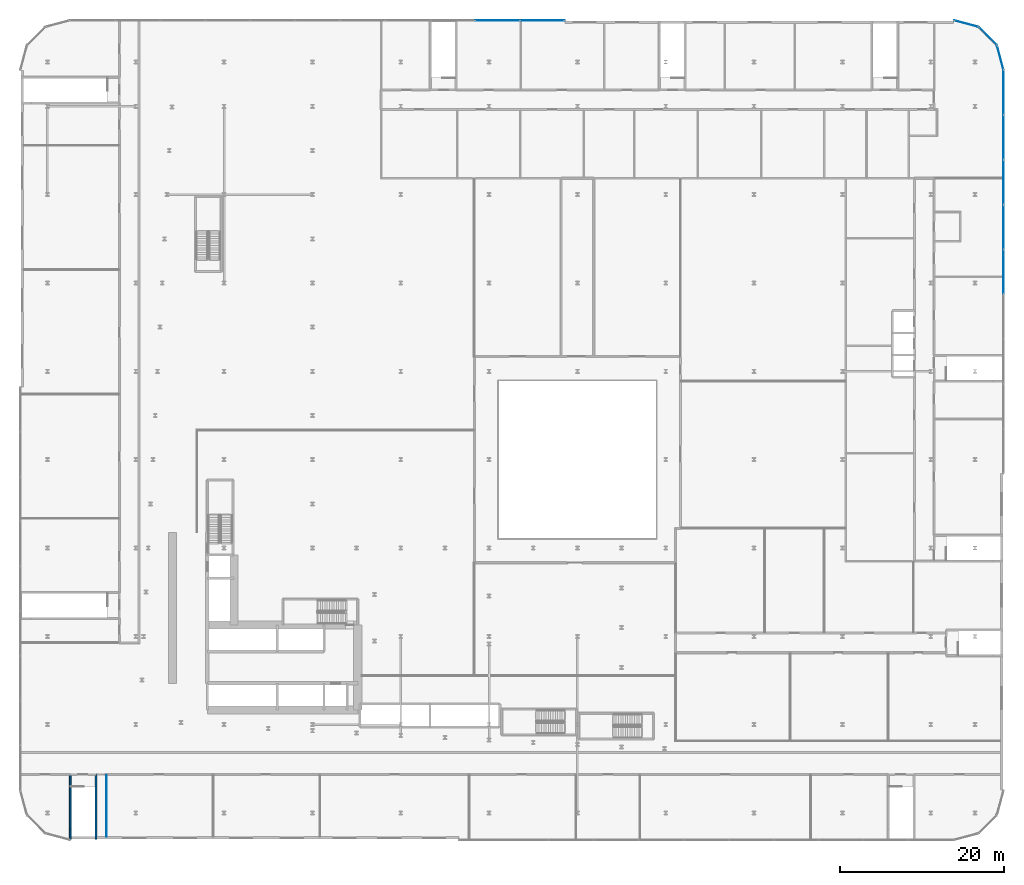
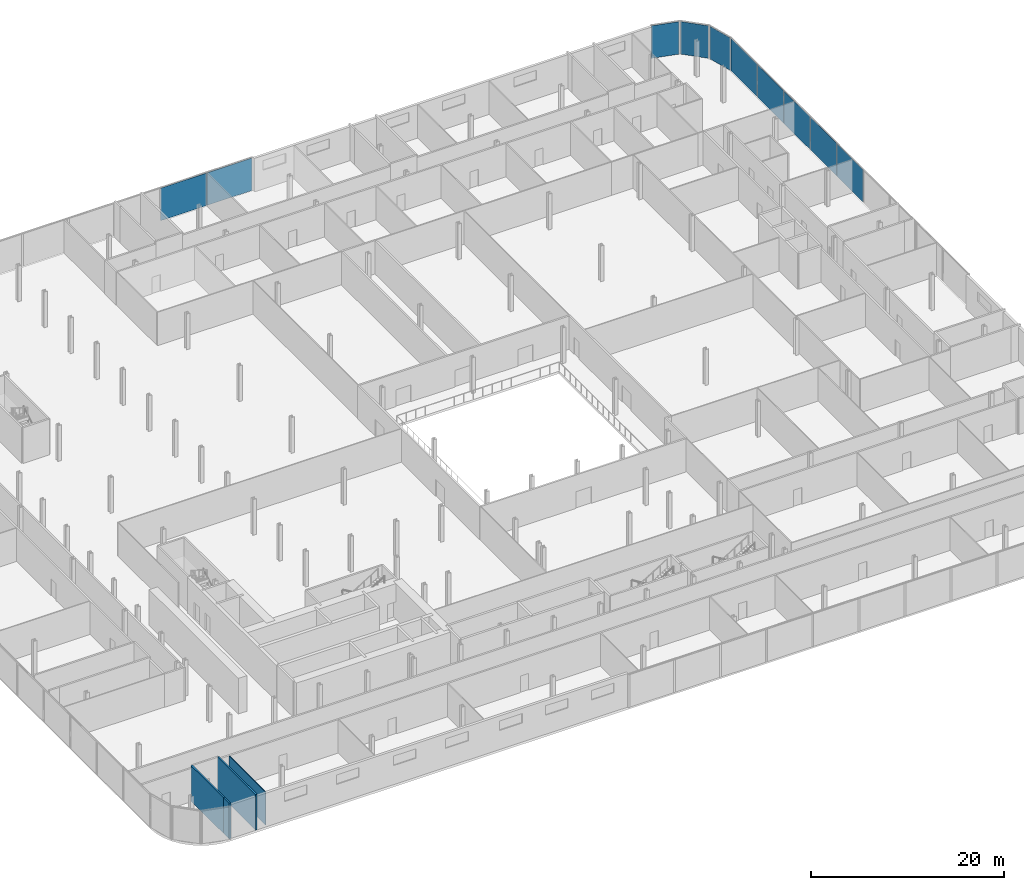
# One storey, part 25 of 43: 10 plates, 4 walls, 5 elements without a shape of their own.
"""IFC4 building model written with IfcOpenShell, lengths in metres."""

import ifcopenshell
import ifcopenshell.guid

model = None  # the IFC model being written
_history = None  # IfcOwnerHistory: only IFC2X3 demands one
_inside = {}  # id of a spatial element -> (the spatial element, [elements in it])
_under = {}  # id of a project, library or spatial element -> (it, [spatial elements below it])
_declared = {}  # id of a project -> (the project, [libraries it declares])
_typed = {}  # id of a type object -> (the type object, [elements of that type])
_made_of = {}  # id of a material, layer set ... -> (it, [elements and type objects made of it])


def new_model(schema):
    """Start an empty IFC model of exactly this schema.

    Asked for "IFC4X3", IfcOpenShell would pick the latest addendum, in which some entities
    have other attributes; the version numbers below select the first issue.
    IFC2X3 requires an IfcOwnerHistory on every rooted entity: one is made here for all.
    """
    global model, _history
    if schema == "IFC4X3":
        model = ifcopenshell.file(schema_version=(4, 3, 0, 0))
    else:
        model = ifcopenshell.file(schema=schema)
    _inside.clear()
    _under.clear()
    _declared.clear()
    _typed.clear()
    _made_of.clear()
    _history = None
    if model.schema == "IFC2X3":
        org = make("IfcOrganization", Name="unknown")
        user = make(
            "IfcPersonAndOrganization",
            ThePerson=make("IfcPerson", FamilyName="unknown"),
            TheOrganization=org,
        )
        app = make(
            "IfcApplication",
            ApplicationDeveloper=org,
            Version="unknown",
            ApplicationFullName="unknown",
            ApplicationIdentifier="unknown",
        )
        _history = make(
            "IfcOwnerHistory",
            OwningUser=user,
            OwningApplication=app,
            ChangeAction="ADDED",
            CreationDate=0,
        )
    return model


def make(cls, **values):
    """One entity of the class cls with the attributes given. An attribute that is None is left unset."""
    return model.create_entity(
        cls, **{name: value for name, value in values.items() if value is not None}
    )


def rooted(cls, **values):
    """An entity with a GlobalId (a new one), such as an element, a storey or a relation."""
    return make(cls, GlobalId=ifcopenshell.guid.new(), OwnerHistory=_history, **values)


def si_unit(unit_type, name, prefix=None):
    """IfcSIUnit, for example si_unit("LENGTHUNIT", "METRE", prefix="MILLI")."""
    return make("IfcSIUnit", UnitType=unit_type, Prefix=prefix, Name=name)


def assignment(units):
    """IfcUnitAssignment: the units of a project."""
    return None if units is None else make("IfcUnitAssignment", Units=units)


def point(xyz):
    """IfcCartesianPoint."""
    return None if xyz is None else make("IfcCartesianPoint", Coordinates=xyz)


def direction(xyz):
    """IfcDirection."""
    return None if xyz is None else make("IfcDirection", DirectionRatios=xyz)


def frame(location, z_axis=None, x_axis=None):
    """IfcAxis2Placement3D, a coordinate frame: its origin and axes. An axis left out is left unset."""
    return make(
        "IfcAxis2Placement3D",
        Location=point(location),
        Axis=direction(z_axis),
        RefDirection=direction(x_axis),
    )


def frame_2d(location, x_axis=None):
    """IfcAxis2Placement2D, a coordinate frame in the plane: its origin and x axis."""
    return make(
        "IfcAxis2Placement2D", Location=point(location), RefDirection=direction(x_axis)
    )


def origin():
    """The frame at (0, 0, 0) with its axes left unset."""
    return frame((0.0, 0.0, 0.0))


def origin_2d():
    """The frame at (0, 0) in the plane with its x axis left unset."""
    return frame_2d((0.0, 0.0))


def place(relative_to, where):
    """IfcLocalPlacement: puts the frame where relative to a parent placement (None: the world)."""
    return make(
        "IfcLocalPlacement", PlacementRelTo=relative_to, RelativePlacement=where
    )


def context(
    kind, dimensions, precision=None, world=None, true_north=None, identifier=None
):
    """IfcGeometricRepresentationContext, for example the 3D "Model" context."""
    return make(
        "IfcGeometricRepresentationContext",
        ContextIdentifier=identifier,
        ContextType=kind,
        CoordinateSpaceDimension=dimensions,
        Precision=precision,
        WorldCoordinateSystem=world,
        TrueNorth=true_north,
    )


def subcontext(parent, identifier, kind, view, scale=None):
    """IfcGeometricRepresentationSubContext, for example "Body" below "Model"."""
    return make(
        "IfcGeometricRepresentationSubContext",
        ContextIdentifier=identifier,
        ContextType=kind,
        ParentContext=parent,
        TargetScale=scale,
        TargetView=view,
    )


def project(units=None, contexts=None):
    """IfcProject with its units and contexts."""
    return rooted(
        "IfcProject",
        Name="project",
        RepresentationContexts=contexts,
        UnitsInContext=assignment(units),
    )


def spatial(cls, under=None, at=None, **own):
    """A site, building, storey or space (cls), placed at a placement, below another one or the project."""
    s = rooted(cls, ObjectPlacement=at, **own)
    if under is not None:
        _under.setdefault(under.id(), (under, []))[1].append(s)
    return s


def profile(cls, at=None, kind="AREA", **sizes):
    """A parametric profile (cls). Its sizes go by their IFC names, for example OverallWidth=200.0."""
    return make(cls, ProfileType=kind, Position=at, **sizes)


def rectangle(**sizes):
    """IfcRectangleProfileDef."""
    return profile("IfcRectangleProfileDef", **sizes)


def extrude(swept, where, along, depth):
    """IfcExtrudedAreaSolid: the profile swept, set in the frame where, extruded along a direction by depth."""
    return make(
        "IfcExtrudedAreaSolid",
        SweptArea=swept,
        Position=where,
        ExtrudedDirection=direction(along),
        Depth=depth,
    )


def shape(context_of_items, identifier, shape_type, items):
    """IfcShapeRepresentation: the items that make up one representation, for example the "Body"."""
    return make(
        "IfcShapeRepresentation",
        ContextOfItems=context_of_items,
        RepresentationIdentifier=identifier,
        RepresentationType=shape_type,
        Items=items,
    )


def material(Name=None, Category=None):
    """IfcMaterial."""
    return make("IfcMaterial", Name=Name, Category=Category)


def layer(
    of_material, thickness, ventilated=None, Name=None, Category=None, Priority=None
):
    """IfcMaterialLayer: one layer of a wall or slab, of a material (None: an air gap)."""
    return make(
        "IfcMaterialLayer",
        Material=of_material,
        LayerThickness=thickness,
        IsVentilated=ventilated,
        Name=Name,
        Category=Category,
        Priority=Priority,
    )


def layer_set(layers, Name=None):
    """IfcMaterialLayerSet."""
    return make("IfcMaterialLayerSet", MaterialLayers=layers, LayerSetName=Name)


def made_of(thing, what):
    """Note that an element or type object is made of a material, layer set ...; save() writes the relation."""
    if what is not None:
        _made_of.setdefault(what.id(), (what, []))[1].append(thing)
    return thing


def type_object(cls, material=None, **own):
    """A type object (cls), such as IfcWallType, which elements share."""
    return made_of(rooted(cls, **own), material)


def element(
    cls,
    number,
    at=None,
    inside=None,
    cuts=None,
    type_object=None,
    material=None,
    context=None,
    identifier="Body",
    shape_type=None,
    held_by="IfcProductDefinitionShape",
    body=None,
    shapes=None,
    **own,
):
    """One element of the class cls, such as IfcWall. Its Tag is "e" and its number.

    at: its placement. inside: the storey or other place that contains it. cuts: it is an
    opening in that element (IfcRelVoidsElement). A single representation is given by context,
    identifier, shape_type and body (its items); several are given by shapes. held_by: the class
    of the entity that holds the representations. save() writes the other relations.
    """
    e = rooted(cls, Tag="e%d" % number, ObjectPlacement=at, **own)
    if body is not None:
        shapes = [shape(context, identifier, shape_type, body)]
    if shapes is not None:
        e.Representation = make(held_by, Representations=shapes)
    if inside is not None:
        _inside.setdefault(inside.id(), (inside, []))[1].append(e)
    if cuts is not None:
        rooted(
            "IfcRelVoidsElement", RelatingBuildingElement=cuts, RelatedOpeningElement=e
        )
    if type_object is not None:
        _typed.setdefault(type_object.id(), (type_object, []))[1].append(e)
    return made_of(e, material)


def aggregate(whole, parts):
    """IfcRelAggregates: a whole, such as a stair, and the parts it consists of."""
    return rooted("IfcRelAggregates", RelatingObject=whole, RelatedObjects=parts)


def save(model, path):
    """Write the relations noted so far, then the file.

    IfcRelAggregates (storeys below a building ...), IfcRelContainedInSpatialStructure (elements
    in a storey), IfcRelDefinesByType, IfcRelAssociatesMaterial and IfcRelDeclares: one each for
    every whole, place, type object, material and project.
    """
    for whole, parts in _under.values():
        aggregate(whole, parts)
    for where, things in _inside.values():
        rooted(
            "IfcRelContainedInSpatialStructure",
            RelatedElements=things,
            RelatingStructure=where,
        )
    for kind, things in _typed.values():
        rooted("IfcRelDefinesByType", RelatedObjects=things, RelatingType=kind)
    for what, things in _made_of.values():
        rooted("IfcRelAssociatesMaterial", RelatedObjects=things, RelatingMaterial=what)
    for by, libraries in _declared.values():
        rooted("IfcRelDeclares", RelatingContext=by, RelatedDefinitions=libraries)
    model.write(path)


model = new_model("IFC4")

# Units and contexts
model_context = context("Model", 3, precision=1e-05, world=origin(), true_north=direction((0.0, 1.0)))
body_context = subcontext(model_context, "Body", "Model", "MODEL_VIEW")
ifc_project = project(units=[si_unit("LENGTHUNIT", "METRE"), si_unit("AREAUNIT", "SQUARE_METRE"), si_unit("VOLUMEUNIT", "CUBIC_METRE"), si_unit("PLANEANGLEUNIT", "RADIAN"), si_unit("MASSUNIT", "GRAM", prefix="KILO")], contexts=[model_context])

# Site, building, storey
site_placement = place(None, origin())
site = spatial("IfcSite", under=ifc_project, at=site_placement, CompositionType="ELEMENT")
building_placement = place(site_placement, origin())
building = spatial("IfcBuilding", under=site, at=building_placement, Name="Kheshtan School and Residences Tower", CompositionType="ELEMENT")
storey_placement = place(building_placement, frame((0.0, 0.0, 26.0)))
storey = spatial("IfcBuildingStorey", under=building, at=storey_placement, Name="L05", CompositionType="ELEMENT", Elevation=26.0)

# Curtain wall, plates
ifc_material_1 = material(Name="Clear low-e glass in thermally broken aluminium frame", Category="aluminium")
ifc_layer_1 = layer(ifc_material_1, 0.22509765625)
ifc_layer_set_1 = layer_set([ifc_layer_1], Name="Curtain wall CW-P")
curtain_wall_type = type_object("IfcCurtainWallType", Name="Curtain wall CW-P", PredefinedType="NOTDEFINED", material=ifc_layer_set_1)
curtain_wall_1_placement = place(storey_placement, origin())
curtain_wall_1 = element("IfcCurtainWall", 1, at=curtain_wall_1_placement, inside=storey, type_object=curtain_wall_type, Name="Curtain wall CWP4a", PredefinedType="NOTDEFINED")
ifc_layer_2 = layer(ifc_material_1, 0.035888671875)
ifc_layer_set_2 = layer_set([ifc_layer_2], Name="CW-P glass panel")
plate_type = type_object("IfcPlateType", Name="CW-P glass panel", PredefinedType="CURTAIN_PANEL", material=ifc_layer_set_2)
plate_1_placement = place(storey_placement, frame((70.232666015625, 110.10009765625, 0.0), z_axis=(0.0, 0.0, 1.0), x_axis=(1.0, 0.0, 0.0)))
plate_1 = element("IfcPlate", 2, at=plate_1_placement, type_object=plate_type, Name="CWP4a panel 10.1", PredefinedType="CURTAIN_PANEL", context=body_context, shape_type="SweptSolid", body=[
    extrude(rectangle(XDim=5.438232421875, YDim=0.035888671875, at=origin_2d()), origin(), (0.0, 0.0, 1.0), 4.110107421875),
])
plate_2_placement = place(storey_placement, frame((75.7158203125, 110.10009765625, 0.0), z_axis=(0.0, 0.0, 1.0), x_axis=(1.0, 0.0, 0.0)))
plate_2 = element("IfcPlate", 3, at=plate_2_placement, type_object=plate_type, Name="CWP4a panel 11.1", PredefinedType="CURTAIN_PANEL", context=body_context, shape_type="SweptSolid", body=[
    extrude(rectangle(XDim=5.408203125, YDim=0.035888671875, at=origin_2d()), origin(), (0.0, 0.0, 1.0), 4.110107421875),
])
aggregate(curtain_wall_1, [plate_1, plate_2])

# Curtain wall, plate
curtain_wall_2_placement = place(storey_placement, origin())
curtain_wall_2 = element("IfcCurtainWall", 4, at=curtain_wall_2_placement, inside=storey, type_object=curtain_wall_type, Name="Curtain wall CWP5a", PredefinedType="NOTDEFINED")
plate_3_placement = place(storey_placement, frame((127.52587890625, 109.694580078125, 0.0), z_axis=(0.0, 0.0, 1.0), x_axis=(0.965913556273, -0.258864833085, 0.0)))
plate_3 = element("IfcPlate", 5, at=plate_3_placement, type_object=plate_type, Name="CWP5a panel 1.1", PredefinedType="CURTAIN_PANEL", context=body_context, shape_type="SweptSolid", body=[
    extrude(rectangle(XDim=2.98583984375, YDim=0.035888671875, at=origin_2d()), origin(), (0.0, 0.0, 1.0), 4.110107421875),
])
aggregate(curtain_wall_2, [plate_3])

curtain_wall_3_placement = place(storey_placement, origin())
curtain_wall_3 = element("IfcCurtainWall", 6, at=curtain_wall_3_placement, inside=storey, type_object=curtain_wall_type, Name="Curtain wall CWP6a", PredefinedType="NOTDEFINED")
plate_4_placement = place(storey_placement, frame((130.168701171875, 108.168701171875, 0.0), z_axis=(0.0, 0.0, 1.0), x_axis=(0.707106781187, -0.707106781187, 0.0)))
plate_4 = element("IfcPlate", 7, at=plate_4_placement, type_object=plate_type, Name="CWP6a panel 1.1", PredefinedType="CURTAIN_PANEL", context=body_context, shape_type="SweptSolid", body=[
    extrude(rectangle(XDim=2.985595703125, YDim=0.035888671875, at=origin_2d()), origin(), (0.0, 0.0, 1.0), 4.110107421875),
])
aggregate(curtain_wall_3, [plate_4])

curtain_wall_4_placement = place(storey_placement, origin())
curtain_wall_4 = element("IfcCurtainWall", 8, at=curtain_wall_4_placement, inside=storey, type_object=curtain_wall_type, Name="Curtain wall CWP7a", PredefinedType="NOTDEFINED")
plate_5_placement = place(storey_placement, frame((131.694580078125, 105.52587890625, 0.0), z_axis=(0.0, 0.0, 1.0), x_axis=(0.258864833085, -0.965913556273, 0.0)))
plate_5 = element("IfcPlate", 9, at=plate_5_placement, type_object=plate_type, Name="CWP7a panel 1.1", PredefinedType="CURTAIN_PANEL", context=body_context, shape_type="SweptSolid", body=[
    extrude(rectangle(XDim=2.98583984375, YDim=0.035888671875, at=origin_2d()), origin(), (0.0, 0.0, 1.0), 4.110107421875),
])
aggregate(curtain_wall_4, [plate_5])

# Curtain wall, plates
curtain_wall_5_placement = place(storey_placement, origin())
curtain_wall_5 = element("IfcCurtainWall", 10, at=curtain_wall_5_placement, inside=storey, type_object=curtain_wall_type, Name="Curtain wall CWP8a", PredefinedType="NOTDEFINED")
plate_6_placement = place(storey_placement, frame((132.10009765625, 101.28955078125, 0.0), z_axis=(0.0, 0.0, 1.0), x_axis=(0.0, -1.0, 0.0)))
plate_6 = element("IfcPlate", 11, at=plate_6_placement, type_object=plate_type, Name="CWP8a panel 1.1", PredefinedType="CURTAIN_PANEL", context=body_context, shape_type="SweptSolid", body=[
    extrude(rectangle(XDim=5.470458984375, YDim=0.035888671875, at=origin_2d()), origin(), (0.0, 0.0, 1.0), 4.110107421875),
])
plate_7_placement = place(storey_placement, frame((132.10009765625, 95.78662109375, 0.0), z_axis=(0.0, 0.0, 1.0), x_axis=(0.0, -1.0, 0.0)))
plate_7 = element("IfcPlate", 12, at=plate_7_placement, type_object=plate_type, Name="CWP8a panel 2.1", PredefinedType="CURTAIN_PANEL", context=body_context, shape_type="SweptSolid", body=[
    extrude(rectangle(XDim=5.41552734375, YDim=0.035888671875, at=origin_2d()), origin(), (0.0, 0.0, 1.0), 4.110107421875),
])
plate_8_placement = place(storey_placement, frame((132.10009765625, 90.31103515625, 0.0), z_axis=(0.0, 0.0, 1.0), x_axis=(0.0, -1.0, 0.0)))
plate_8 = element("IfcPlate", 13, at=plate_8_placement, type_object=plate_type, Name="CWP8a panel 3.1", PredefinedType="CURTAIN_PANEL", context=body_context, shape_type="SweptSolid", body=[
    extrude(rectangle(XDim=5.41552734375, YDim=0.035888671875, at=origin_2d()), origin(), (0.0, 0.0, 1.0), 4.110107421875),
])
plate_9_placement = place(storey_placement, frame((132.10009765625, 84.83544921875, 0.0), z_axis=(0.0, 0.0, 1.0), x_axis=(0.0, -1.0, 0.0)))
plate_9 = element("IfcPlate", 14, at=plate_9_placement, type_object=plate_type, Name="CWP8a panel 4.1", PredefinedType="CURTAIN_PANEL", context=body_context, shape_type="SweptSolid", body=[
    extrude(rectangle(XDim=5.41552734375, YDim=0.035888671875, at=origin_2d()), origin(), (0.0, 0.0, 1.0), 4.110107421875),
])
plate_10_placement = place(storey_placement, frame((132.10009765625, 79.360107421875, 0.0), z_axis=(0.0, 0.0, 1.0), x_axis=(0.0, -1.0, 0.0)))
plate_10 = element("IfcPlate", 15, at=plate_10_placement, type_object=plate_type, Name="CWP8a panel 5.1", PredefinedType="CURTAIN_PANEL", context=body_context, shape_type="SweptSolid", body=[
    extrude(rectangle(XDim=5.41552734375, YDim=0.035888671875, at=origin_2d()), origin(), (0.0, 0.0, 1.0), 4.110107421875),
])
aggregate(curtain_wall_5, [plate_6, plate_7, plate_8, plate_9, plate_10])

# Walls
ifc_material_2 = material(Name="Gypsum board on steel studs", Category="steel")
ifc_layer_3 = layer(ifc_material_2, 0.10009765625)
ifc_layer_set_3 = layer_set([ifc_layer_3], Name="Gypsum partition 100")
wall_type_1 = type_object("IfcWallType", Name="Gypsum partition 100", PredefinedType="PARTITIONING", material=ifc_layer_set_3)
wall_1_placement = place(storey_placement, frame((22.43505859375, 10.299072265625, 0.0), z_axis=(0.0, 0.0, 1.0), x_axis=(0.0, 1.0, 0.0)))
element("IfcWall", 16, at=wall_1_placement, inside=storey, type_object=wall_type_1, Name="Partition L05-009", PredefinedType="PARTITIONING", context=body_context, shape_type="SweptSolid", body=[
    extrude(rectangle(XDim=7.5009765625, YDim=0.10009765625, at=frame_2d((3.75048828125, 0.0))), origin(), (0.0, 0.0, 1.0), 4.199951171875),
])
ifc_material_3 = material(Name="Concrete C40/50", Category="concrete")
ifc_layer_4 = layer(ifc_material_3, 0.199951171875)
ifc_layer_set_4 = layer_set([ifc_layer_4], Name="Stair enclosure wall 200 Concrete C40/50")
wall_type_2 = type_object("IfcWallType", Name="Stair enclosure wall 200 Concrete C40/50", PredefinedType="SHEAR", material=ifc_layer_set_4)
wall_2_placement = place(storey_placement, frame((18.0, 10.0, 0.0), z_axis=(0.0, 0.0, 1.0), x_axis=(0.0, 1.0, 0.0)))
element("IfcWall", 17, at=wall_2_placement, inside=storey, type_object=wall_type_2, Name="Stair enclosure wall", PredefinedType="SHEAR", context=body_context, shape_type="SweptSolid", body=[
    extrude(rectangle(XDim=1.199951171875, YDim=0.199951171875, at=frame_2d((0.60009765625, 0.0))), origin(), (0.0, 0.0, 1.0), 4.5),
])
wall_3_placement = place(storey_placement, frame((18.0, 11.199951171875, 0.0), z_axis=(0.0, 0.0, 1.0), x_axis=(0.0, 1.0, 0.0)))
element("IfcWall", 18, at=wall_3_placement, inside=storey, type_object=wall_type_2, Name="Stair enclosure wall", PredefinedType="SHEAR", context=body_context, shape_type="SweptSolid", body=[
    extrude(rectangle(XDim=6.699951171875, YDim=0.199951171875, at=frame_2d((3.35009765625, 0.0))), origin(), (0.0, 0.0, 1.0), 4.5),
])
wall_4_placement = place(storey_placement, frame((21.14990234375, 10.0, 0.0), z_axis=(0.0, 0.0, 1.0), x_axis=(0.0, 1.0, 0.0)))
element("IfcWall", 19, at=wall_4_placement, inside=storey, type_object=wall_type_2, Name="Stair enclosure wall", PredefinedType="SHEAR", context=body_context, shape_type="SweptSolid", body=[
    extrude(rectangle(XDim=7.89990234375, YDim=0.199951171875, at=frame_2d((3.949951171875, 0.0))), origin(), (0.0, 0.0, 1.0), 4.5),
])

save(model, "model.ifc")
